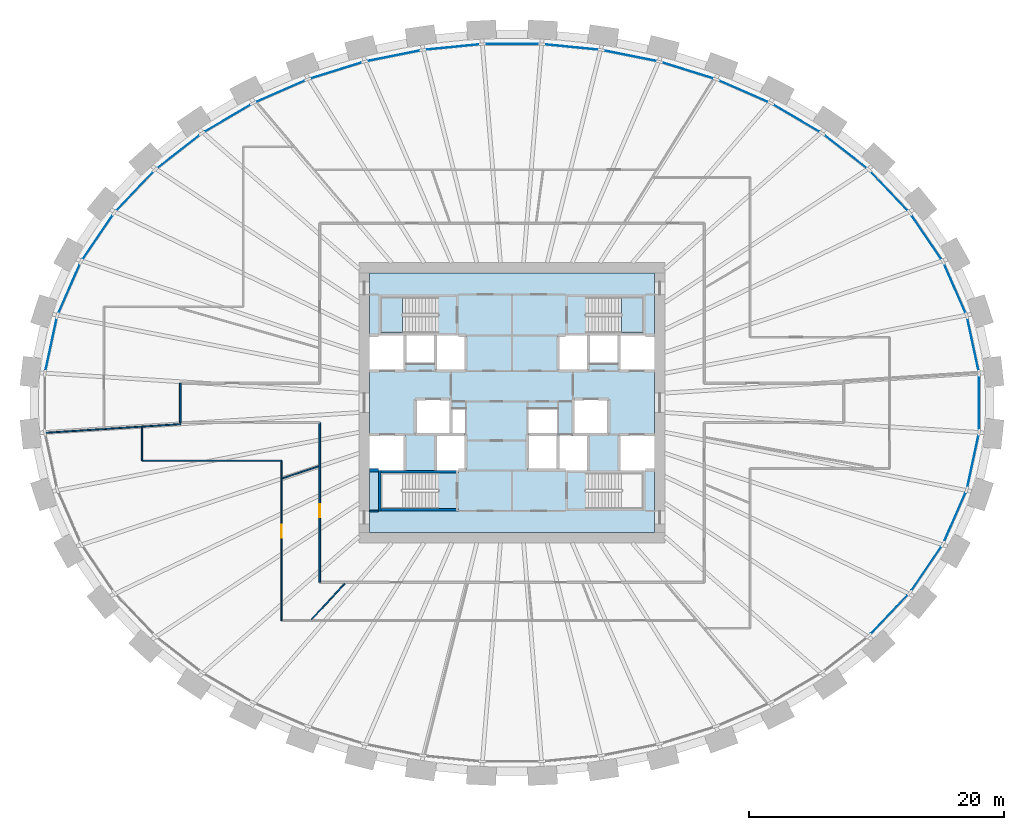
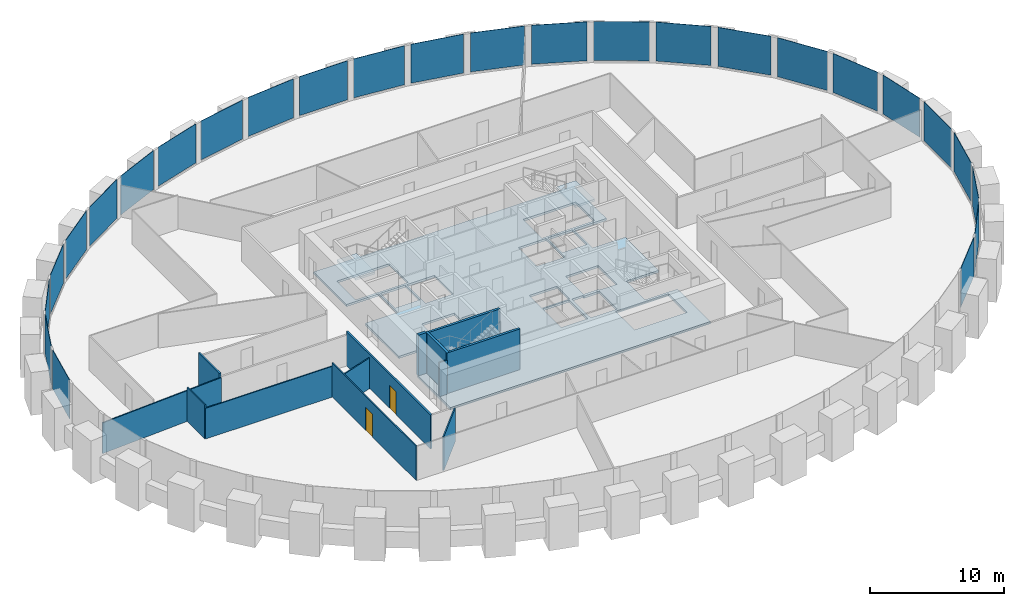
# One storey, part 5 of 10: 26 plates, 13 walls, 3 slabs, 2 doors, 2 openings, 3 elements without a shape of their own.
"""IFC4 building model written with IfcOpenShell, lengths in metres."""

from ifc_helpers import new_model, si_unit, direction, frame, frame_2d, origin, origin_2d, place, context, subcontext, project, spatial, polyline, rectangle, outline, extrude, source, transform, mapped, material, layer, layer_set, type_object, element, fill, aggregate, save


model = new_model("IFC4")

# Units and contexts
model_context = context("Model", 3, precision=1e-05, world=origin(), true_north=direction((0.0, 1.0)))
body_context = subcontext(model_context, "Body", "Model", "MODEL_VIEW")
ifc_project = project(units=[si_unit("LENGTHUNIT", "METRE"), si_unit("AREAUNIT", "SQUARE_METRE"), si_unit("VOLUMEUNIT", "CUBIC_METRE"), si_unit("PLANEANGLEUNIT", "RADIAN"), si_unit("MASSUNIT", "GRAM", prefix="KILO")], contexts=[model_context])

# Site, building, storey
site_placement = place(None, origin())
site = spatial("IfcSite", under=ifc_project, at=site_placement, CompositionType="ELEMENT")
building_placement = place(site_placement, origin())
building = spatial("IfcBuilding", under=site, at=building_placement, Name="Embergate Tower", CompositionType="ELEMENT")
storey_placement = place(building_placement, frame((0.0, 0.0, 152.10009765625)))
storey = spatial("IfcBuildingStorey", under=building, at=storey_placement, Name="L33", CompositionType="ELEMENT", Elevation=152.10009765625)

# Curtain wall, plates
ifc_material_1 = material(Name="Aluminium and glass", Category="aluminium")
curtain_wall_type = type_object("IfcCurtainWallType", Name="Recessed office glazing", PredefinedType="NOTDEFINED", material=ifc_material_1)
curtain_wall_placement = place(storey_placement, origin())
curtain_wall = element("IfcCurtainWall", 1, at=curtain_wall_placement, inside=storey, type_object=curtain_wall_type, Name="Recessed office glazing ring", ObjectType="RECESSED OFFICE GLAZING", PredefinedType="USERDEFINED")
ifc_material_2 = material(Name="Triple glazing, low-emissivity coating", Category="glass")
ifc_layer_1 = layer(ifc_material_2, 0.035888671875)
ifc_layer_set_1 = layer_set([ifc_layer_1], Name="Triple glazing, low-emissivity coating")
plate_type = type_object("IfcPlateType", Name="Office glazing unit", PredefinedType="CURTAIN_PANEL", material=ifc_layer_set_1)
shared_shape_1 = source(origin(), body_context, "Body", "SweptSolid", [
    extrude(rectangle(XDim=4.109130859375, YDim=0.035888671875, at=origin_2d()), origin(), (0.0, 0.0, 1.0), 3.550048828125),
])
plate_1_placement = place(storey_placement, frame((36.196044921875, 4.576171875, 0.14990234375), z_axis=(0.0, 0.0, 1.0), x_axis=(-0.210398391177, 0.97761573074, 0.0)))
plate_1 = element("IfcPlate", 2, at=plate_1_placement, type_object=plate_type, Name="CW panel 1.1", PredefinedType="CURTAIN_PANEL", context=body_context, shape_type="MappedRepresentation", body=[
    mapped(shared_shape_1, transform((0.0, 0.0, 0.0))),
])
plate_2_placement = place(storey_placement, frame((-36.196044921875, 4.576171875, 0.14990234375), z_axis=(0.0, 0.0, 1.0), x_axis=(-0.210398391177, -0.97761573074, 0.0)))
plate_2 = element("IfcPlate", 3, at=plate_2_placement, type_object=plate_type, Name="CW panel 21.1", PredefinedType="CURTAIN_PANEL", context=body_context, shape_type="MappedRepresentation", body=[
    mapped(shared_shape_1, transform((0.0, 0.0, 0.0))),
])
plate_3_placement = place(storey_placement, frame((36.196044921875, -4.576171875, 0.14990234375), z_axis=(0.0, 0.0, 1.0), x_axis=(0.210398391177, 0.97761573074, 0.0)))
plate_3 = element("IfcPlate", 4, at=plate_3_placement, type_object=plate_type, Name="CW panel 43.1", PredefinedType="CURTAIN_PANEL", context=body_context, shape_type="MappedRepresentation", body=[
    mapped(shared_shape_1, transform((0.0, 0.0, 0.0))),
])
shared_shape_2 = source(origin(), body_context, "Body", "SweptSolid", [
    extrude(rectangle(XDim=4.1162109375, YDim=0.035888671875, at=origin_2d()), origin(), (0.0, 0.0, 1.0), 3.550048828125),
])
plate_4_placement = place(storey_placement, frame((34.778076171875, 8.9619140625, 0.14990234375), z_axis=(0.0, 0.0, 1.0), x_axis=(-0.401652101157, 0.91579232888, 0.0)))
plate_4 = element("IfcPlate", 5, at=plate_4_placement, type_object=plate_type, Name="CW panel 2.1", PredefinedType="CURTAIN_PANEL", context=body_context, shape_type="MappedRepresentation", body=[
    mapped(shared_shape_2, transform((0.0, 0.0, 0.0))),
])
plate_5_placement = place(storey_placement, frame((-34.778076171875, 8.9619140625, 0.14990234375), z_axis=(0.0, 0.0, 1.0), x_axis=(-0.401652101157, -0.91579232888, 0.0)))
plate_5 = element("IfcPlate", 6, at=plate_5_placement, type_object=plate_type, Name="CW panel 20.1", PredefinedType="CURTAIN_PANEL", context=body_context, shape_type="MappedRepresentation", body=[
    mapped(shared_shape_2, transform((0.0, 0.0, 0.0))),
])
plate_6_placement = place(storey_placement, frame((34.778076171875, -8.9619140625, 0.14990234375), z_axis=(0.0, 0.0, 1.0), x_axis=(0.401652101157, 0.91579232888, 0.0)))
plate_6 = element("IfcPlate", 7, at=plate_6_placement, type_object=plate_type, Name="CW panel 42.1", PredefinedType="CURTAIN_PANEL", context=body_context, shape_type="MappedRepresentation", body=[
    mapped(shared_shape_2, transform((0.0, 0.0, 0.0))),
])
shared_shape_3 = source(origin(), body_context, "Body", "SweptSolid", [
    extrude(rectangle(XDim=4.125, YDim=0.035888671875, at=origin_2d()), origin(), (0.0, 0.0, 1.0), 3.550048828125),
])
plate_7_placement = place(storey_placement, frame((32.541015625, 13.005126953125, 0.14990234375), z_axis=(0.0, 0.0, 1.0), x_axis=(-0.562341741915, 0.826904931234, 0.0)))
plate_7 = element("IfcPlate", 8, at=plate_7_placement, type_object=plate_type, Name="CW panel 3.1", PredefinedType="CURTAIN_PANEL", context=body_context, shape_type="MappedRepresentation", body=[
    mapped(shared_shape_3, transform((0.0, 0.0, 0.0))),
])
plate_8_placement = place(storey_placement, frame((-32.541015625, 13.005126953125, 0.14990234375), z_axis=(0.0, 0.0, 1.0), x_axis=(-0.562341741915, -0.826904931234, 0.0)))
plate_8 = element("IfcPlate", 9, at=plate_8_placement, type_object=plate_type, Name="CW panel 19.1", PredefinedType="CURTAIN_PANEL", context=body_context, shape_type="MappedRepresentation", body=[
    mapped(shared_shape_3, transform((0.0, 0.0, 0.0))),
])
plate_9_placement = place(storey_placement, frame((32.541015625, -13.005126953125, 0.14990234375), z_axis=(0.0, 0.0, 1.0), x_axis=(0.562341741915, 0.826904931234, 0.0)))
plate_9 = element("IfcPlate", 10, at=plate_9_placement, type_object=plate_type, Name="CW panel 41.1", PredefinedType="CURTAIN_PANEL", context=body_context, shape_type="MappedRepresentation", body=[
    mapped(shared_shape_3, transform((0.0, 0.0, 0.0))),
])
shared_shape_4 = source(origin(), body_context, "Body", "SweptSolid", [
    extrude(rectangle(XDim=4.1337890625, YDim=0.035888671875, at=origin_2d()), origin(), (0.0, 0.0, 1.0), 3.550048828125),
])
plate_10_placement = place(storey_placement, frame((29.62890625, 16.609619140625, 0.14990234375), z_axis=(0.0, 0.0, 1.0), x_axis=(-0.690135047526, 0.723680603703, 0.0)))
plate_10 = element("IfcPlate", 11, at=plate_10_placement, type_object=plate_type, Name="CW panel 4.1", PredefinedType="CURTAIN_PANEL", context=body_context, shape_type="MappedRepresentation", body=[
    mapped(shared_shape_4, transform((0.0, 0.0, 0.0))),
])
plate_11_placement = place(storey_placement, frame((-29.62890625, 16.609619140625, 0.14990234375), z_axis=(0.0, 0.0, 1.0), x_axis=(-0.690135047526, -0.723680603703, 0.0)))
plate_11 = element("IfcPlate", 12, at=plate_11_placement, type_object=plate_type, Name="CW panel 18.1", PredefinedType="CURTAIN_PANEL", context=body_context, shape_type="MappedRepresentation", body=[
    mapped(shared_shape_4, transform((0.0, 0.0, 0.0))),
])
plate_12_placement = place(storey_placement, frame((29.62890625, -16.609619140625, 0.14990234375), z_axis=(0.0, 0.0, 1.0), x_axis=(0.690135047526, 0.723680603703, 0.0)))
plate_12 = element("IfcPlate", 13, at=plate_12_placement, type_object=plate_type, Name="CW panel 40.1", PredefinedType="CURTAIN_PANEL", context=body_context, shape_type="MappedRepresentation", body=[
    mapped(shared_shape_4, transform((0.0, 0.0, 0.0))),
])
shared_shape_5 = source(origin(), body_context, "Body", "SweptSolid", [
    extrude(rectangle(XDim=4.14111328125, YDim=0.035888671875, at=origin_2d()), origin(), (0.0, 0.0, 1.0), 3.550048828125),
])
plate_13_placement = place(storey_placement, frame((26.185791015625, 19.727294921875, 0.14990234375), z_axis=(0.0, 0.0, 1.0), x_axis=(-0.788320119254, 0.615265300158, 0.0)))
plate_13 = element("IfcPlate", 14, at=plate_13_placement, type_object=plate_type, Name="CW panel 5.1", PredefinedType="CURTAIN_PANEL", context=body_context, shape_type="MappedRepresentation", body=[
    mapped(shared_shape_5, transform((0.0, 0.0, 0.0))),
])
plate_14_placement = place(storey_placement, frame((-26.185791015625, 19.727294921875, 0.14990234375), z_axis=(0.0, 0.0, 1.0), x_axis=(-0.788320119254, -0.615265300158, 0.0)))
plate_14 = element("IfcPlate", 15, at=plate_14_placement, type_object=plate_type, Name="CW panel 17.1", PredefinedType="CURTAIN_PANEL", context=body_context, shape_type="MappedRepresentation", body=[
    mapped(shared_shape_5, transform((0.0, 0.0, 0.0))),
])
shared_shape_6 = source(origin(), body_context, "Body", "SweptSolid", [
    extrude(rectangle(XDim=4.147216796875, YDim=0.035888671875, at=origin_2d()), origin(), (0.0, 0.0, 1.0), 3.550048828125),
])
plate_15_placement = place(storey_placement, frame((22.3369140625, 22.343994140625, 0.14990234375), z_axis=(0.0, 0.0, 1.0), x_axis=(-0.862053167811, 0.50681785275, 0.0)))
plate_15 = element("IfcPlate", 16, at=plate_15_placement, type_object=plate_type, Name="CW panel 6.1", PredefinedType="CURTAIN_PANEL", context=body_context, shape_type="MappedRepresentation", body=[
    mapped(shared_shape_6, transform((0.0, 0.0, 0.0))),
])
plate_16_placement = place(storey_placement, frame((-22.3369140625, 22.343994140625, 0.14990234375), z_axis=(0.0, 0.0, 1.0), x_axis=(-0.862053167811, -0.50681785275, 0.0)))
plate_16 = element("IfcPlate", 17, at=plate_16_placement, type_object=plate_type, Name="CW panel 16.1", PredefinedType="CURTAIN_PANEL", context=body_context, shape_type="MappedRepresentation", body=[
    mapped(shared_shape_6, transform((0.0, 0.0, 0.0))),
])
shared_shape_7 = source(origin(), body_context, "Body", "SweptSolid", [
    extrude(rectangle(XDim=4.151611328125, YDim=0.035888671875, at=origin_2d()), origin(), (0.0, 0.0, 1.0), 3.550048828125),
])
plate_17_placement = place(storey_placement, frame((18.18505859375, 24.462646484375, 0.14990234375), z_axis=(0.0, 0.0, 1.0), x_axis=(-0.916236211741, 0.400638495772, 0.0)))
plate_17 = element("IfcPlate", 18, at=plate_17_placement, type_object=plate_type, Name="CW panel 7.1", PredefinedType="CURTAIN_PANEL", context=body_context, shape_type="MappedRepresentation", body=[
    mapped(shared_shape_7, transform((0.0, 0.0, 0.0))),
])
plate_18_placement = place(storey_placement, frame((-18.18505859375, 24.462646484375, 0.14990234375), z_axis=(0.0, 0.0, 1.0), x_axis=(-0.916236211741, -0.400638495772, 0.0)))
plate_18 = element("IfcPlate", 19, at=plate_18_placement, type_object=plate_type, Name="CW panel 15.1", PredefinedType="CURTAIN_PANEL", context=body_context, shape_type="MappedRepresentation", body=[
    mapped(shared_shape_7, transform((0.0, 0.0, 0.0))),
])
shared_shape_8 = source(origin(), body_context, "Body", "SweptSolid", [
    extrude(rectangle(XDim=4.155029296875, YDim=0.035888671875, at=origin_2d()), origin(), (0.0, 0.0, 1.0), 3.550048828125),
])
plate_19_placement = place(storey_placement, frame((13.81298828125, 26.093505859375, 0.14990234375), z_axis=(0.0, 0.0, 1.0), x_axis=(-0.954772217174, 0.297338213676, 0.0)))
plate_19 = element("IfcPlate", 20, at=plate_19_placement, type_object=plate_type, Name="CW panel 8.1", PredefinedType="CURTAIN_PANEL", context=body_context, shape_type="MappedRepresentation", body=[
    mapped(shared_shape_8, transform((0.0, 0.0, 0.0))),
])
plate_20_placement = place(storey_placement, frame((-13.81298828125, 26.093505859375, 0.14990234375), z_axis=(0.0, 0.0, 1.0), x_axis=(-0.954772217174, -0.297338213676, 0.0)))
plate_20 = element("IfcPlate", 21, at=plate_20_placement, type_object=plate_type, Name="CW panel 14.1", PredefinedType="CURTAIN_PANEL", context=body_context, shape_type="MappedRepresentation", body=[
    mapped(shared_shape_8, transform((0.0, 0.0, 0.0))),
])
shared_shape_9 = source(origin(), body_context, "Body", "SweptSolid", [
    extrude(rectangle(XDim=4.1572265625, YDim=0.035888671875, at=origin_2d()), origin(), (0.0, 0.0, 1.0), 3.550048828125),
])
plate_21_placement = place(storey_placement, frame((9.288330078125, 27.248291015625, 0.14990234375), z_axis=(0.0, 0.0, 1.0), x_axis=(-0.980475907409, 0.196639250889, 0.0)))
plate_21 = element("IfcPlate", 22, at=plate_21_placement, type_object=plate_type, Name="CW panel 9.1", PredefinedType="CURTAIN_PANEL", context=body_context, shape_type="MappedRepresentation", body=[
    mapped(shared_shape_9, transform((0.0, 0.0, 0.0))),
])
plate_22_placement = place(storey_placement, frame((-9.288330078125, 27.248291015625, 0.14990234375), z_axis=(0.0, 0.0, 1.0), x_axis=(-0.980475907409, -0.196639250889, 0.0)))
plate_22 = element("IfcPlate", 23, at=plate_22_placement, type_object=plate_type, Name="CW panel 13.1", PredefinedType="CURTAIN_PANEL", context=body_context, shape_type="MappedRepresentation", body=[
    mapped(shared_shape_9, transform((0.0, 0.0, 0.0))),
])
shared_shape_10 = source(origin(), body_context, "Body", "SweptSolid", [
    extrude(rectangle(XDim=4.158447265625, YDim=0.035888671875, at=origin_2d()), origin(), (0.0, 0.0, 1.0), 3.550048828125),
])
plate_23_placement = place(storey_placement, frame((4.66748046875, 27.93701171875, 0.14990234375), z_axis=(0.0, 0.0, 1.0), x_axis=(-0.995203184788, 0.097829550688, 0.0)))
plate_23 = element("IfcPlate", 24, at=plate_23_placement, type_object=plate_type, Name="CW panel 10.1", PredefinedType="CURTAIN_PANEL", context=body_context, shape_type="MappedRepresentation", body=[
    mapped(shared_shape_10, transform((0.0, 0.0, 0.0))),
])
plate_24_placement = place(storey_placement, frame((-4.66748046875, 27.93701171875, 0.14990234375), z_axis=(0.0, 0.0, 1.0), x_axis=(-0.995203184788, -0.097829550688, 0.0)))
plate_24 = element("IfcPlate", 25, at=plate_24_placement, type_object=plate_type, Name="CW panel 12.1", PredefinedType="CURTAIN_PANEL", context=body_context, shape_type="MappedRepresentation", body=[
    mapped(shared_shape_10, transform((0.0, 0.0, 0.0))),
])
shared_shape_11 = source(origin(), body_context, "Body", "SweptSolid", [
    extrude(rectangle(XDim=4.158935546875, YDim=0.035888671875, at=origin_2d()), origin(), (0.0, 0.0, 1.0), 3.550048828125),
])
plate_25_placement = place(storey_placement, frame((0.0, 28.166015625, 0.14990234375), z_axis=(0.0, 0.0, 1.0), x_axis=(-1.0, 0.0, 0.0)))
plate_25 = element("IfcPlate", 26, at=plate_25_placement, type_object=plate_type, Name="CW panel 11.1", PredefinedType="CURTAIN_PANEL", context=body_context, shape_type="MappedRepresentation", body=[
    mapped(shared_shape_11, transform((0.0, 0.0, 0.0))),
])
shared_shape_12 = source(origin(), body_context, "Body", "SweptSolid", [
    extrude(rectangle(XDim=4.106689453125, YDim=0.035888671875, at=origin_2d()), origin(), (0.0, 0.0, 1.0), 3.550048828125),
])
plate_26_placement = place(storey_placement, frame((36.68310546875, 0.0, 0.14990234375), z_axis=(0.0, 0.0, 1.0), x_axis=(0.0, 1.0, 0.0)))
plate_26 = element("IfcPlate", 27, at=plate_26_placement, type_object=plate_type, Name="CW panel 44.1", PredefinedType="CURTAIN_PANEL", context=body_context, shape_type="MappedRepresentation", body=[
    mapped(shared_shape_12, transform((0.0, 0.0, 0.0))),
])
aggregate(curtain_wall, [plate_1, plate_4, plate_7, plate_10, plate_13, plate_15, plate_17, plate_19, plate_21, plate_23, plate_25, plate_24, plate_22, plate_20, plate_18, plate_16, plate_14, plate_11, plate_8, plate_5, plate_2, plate_12, plate_9, plate_6, plate_3, plate_26])

# Stair, slab
ifc_material_3 = material(Name="Exit stair")
stair_type = type_object("IfcStairType", Name="Exit stair", PredefinedType="HALF_TURN_STAIR", material=ifc_material_3)
stair_1_placement = place(storey_placement, origin())
stair_1 = element("IfcStair", 28, at=stair_1_placement, inside=storey, type_object=stair_type, Name="L33 Exit stair 1", PredefinedType="HALF_TURN_STAIR")
ifc_material_4 = material(Name="Concrete C40", Category="concrete")
ifc_layer_2 = layer(ifc_material_4, 0.199951171875)
ifc_layer_set_2 = layer_set([ifc_layer_2], Name="Concrete C40")
slab_type_1 = type_object("IfcSlabType", Name="Stair landing reinforced concrete", PredefinedType="LANDING", material=ifc_layer_set_2)
shared_shape_13 = source(origin(), body_context, "Body", "SweptSolid", [
    extrude(outline(polyline([(0.0, 0.0), (1.68994140625, 0.0), (1.68994140625, 2.800048828125), (0.0, 2.800048828125), (0.0, 0.0)])), origin(), (0.0, 0.0, 1.0), 0.199951171875),
])
slab_1_placement = place(storey_placement, frame((-10.300048828125, 5.5, 1.75)))
slab_1 = element("IfcSlab", 29, at=slab_1_placement, type_object=slab_type_1, Name="ST1 landing 1", PredefinedType="LANDING", context=body_context, shape_type="MappedRepresentation", body=[
    mapped(shared_shape_13, transform((0.0, 0.0, 0.0))),
])
aggregate(stair_1, [slab_1])

stair_2_placement = place(storey_placement, origin())
stair_2 = element("IfcStair", 30, at=stair_2_placement, inside=storey, type_object=stair_type, Name="L33 Exit stair 2", PredefinedType="HALF_TURN_STAIR")
slab_2_placement = place(storey_placement, frame((8.610107421875, 5.5, 1.75)))
slab_2 = element("IfcSlab", 31, at=slab_2_placement, type_object=slab_type_1, Name="ST2 landing 1", PredefinedType="LANDING", context=body_context, shape_type="MappedRepresentation", body=[
    mapped(shared_shape_13, transform((0.0, 0.0, 0.0))),
])
aggregate(stair_2, [slab_2])

# Slab
ifc_layer_3 = layer(ifc_material_4, 0.199951171875)
ifc_layer_set_3 = layer_set([ifc_layer_3], Name="Concrete C40")
slab_type_2 = type_object("IfcSlabType", Name="Core floor slab 200 reinforced concrete", PredefinedType="FLOOR", material=ifc_layer_set_3)
shared_shape_14 = source(origin(), body_context, "Body", "SweptSolid", [
    extrude(outline(polyline([(0.0, 0.0), (22.39990234375, 0.0), (22.39990234375, 4.89990234375), (19.599853515625, 4.89990234375), (19.599853515625, 7.699951171875), (22.39990234375, 7.699951171875), (22.39990234375, 12.699951171875), (19.599853515625, 12.699951171875), (19.599853515625, 15.5), (22.39990234375, 15.5), (22.39990234375, 20.39990234375), (0.0, 20.39990234375), (0.0, 15.5), (2.800048828125, 15.5), (2.800048828125, 12.699951171875), (0.0, 12.699951171875), (0.0, 7.699951171875), (2.800048828125, 7.699951171875), (2.800048828125, 4.89990234375), (0.0, 4.89990234375), (0.0, 0.0)]), holes=[polyline([(0.89990234375, 1.89990234375), (0.89990234375, 4.699951171875), (5.43994140625, 4.699951171875), (5.43994140625, 1.89990234375), (0.89990234375, 1.89990234375)]), polyline([(16.9599609375, 1.89990234375), (16.9599609375, 4.699951171875), (21.5, 4.699951171875), (21.5, 1.89990234375), (16.9599609375, 1.89990234375)]), polyline([(5.199951171875, 4.89990234375), (5.199951171875, 7.574951171875), (6.52490234375, 7.574951171875), (6.52490234375, 7.699951171875), (7.599853515625, 7.699951171875), (7.599853515625, 4.89990234375), (5.199951171875, 4.89990234375)]), polyline([(12.39990234375, 4.89990234375), (12.39990234375, 7.699951171875), (14.675048828125, 7.699951171875), (14.675048828125, 4.89990234375), (12.39990234375, 4.89990234375)]), polyline([(14.925048828125, 4.89990234375), (14.925048828125, 7.699951171875), (15.875, 7.699951171875), (15.875, 7.574951171875), (17.199951171875, 7.574951171875), (17.199951171875, 4.89990234375), (14.925048828125, 4.89990234375)]), polyline([(3.599853515625, 7.699951171875), (3.599853515625, 10.5), (6.39990234375, 10.5), (6.39990234375, 7.824951171875), (5.074951171875, 7.824951171875), (5.074951171875, 7.699951171875), (3.599853515625, 7.699951171875)]), polyline([(17.324951171875, 7.699951171875), (17.324951171875, 7.824951171875), (16.0, 7.824951171875), (16.0, 10.5), (18.800048828125, 10.5), (18.800048828125, 7.699951171875), (17.324951171875, 7.699951171875)]), polyline([(6.52490234375, 7.824951171875), (6.52490234375, 9.699951171875), (7.599853515625, 9.699951171875), (7.599853515625, 7.824951171875), (6.52490234375, 7.824951171875)]), polyline([(12.39990234375, 7.824951171875), (12.39990234375, 9.699951171875), (14.800048828125, 9.699951171875), (14.800048828125, 7.824951171875), (14.675048828125, 7.824951171875), (12.39990234375, 7.824951171875)]), polyline([(5.199951171875, 12.699951171875), (5.199951171875, 15.5), (7.599853515625, 15.5), (7.599853515625, 12.699951171875), (5.199951171875, 12.699951171875)]), polyline([(14.800048828125, 12.699951171875), (14.800048828125, 15.5), (17.199951171875, 15.5), (17.199951171875, 12.699951171875), (14.800048828125, 12.699951171875)]), polyline([(2.925048828125, 13.300048828125), (2.925048828125, 15.5), (5.074951171875, 15.5), (5.074951171875, 13.300048828125), (2.925048828125, 13.300048828125)]), polyline([(17.324951171875, 13.300048828125), (17.324951171875, 15.5), (19.474853515625, 15.5), (19.474853515625, 13.300048828125), (17.324951171875, 13.300048828125)]), polyline([(0.89990234375, 15.699951171875), (0.89990234375, 18.5), (5.43994140625, 18.5), (5.43994140625, 15.699951171875), (0.89990234375, 15.699951171875)]), polyline([(16.9599609375, 15.699951171875), (16.9599609375, 18.5), (21.5, 18.5), (21.5, 15.699951171875), (16.9599609375, 15.699951171875)])]), origin(), (0.0, 0.0, 1.0), 0.2001953125),
])
slab_3_placement = place(storey_placement, frame((-11.199951171875, -10.199951171875, -0.2001953125)))
element("IfcSlab", 32, at=slab_3_placement, inside=storey, type_object=slab_type_2, Name="Core floor slab", PredefinedType="FLOOR", context=body_context, shape_type="MappedRepresentation", body=[
    mapped(shared_shape_14, transform((0.0, 0.0, 0.0))),
])

# Walls
ifc_material_5 = material(Name="Concrete C50", Category="concrete")
ifc_layer_4 = layer(ifc_material_5, 0.199951171875)
ifc_layer_set_4 = layer_set([ifc_layer_4], Name="Concrete C50")
wall_type_1 = type_object("IfcWallType", Name="Stair enclosure wall reinforced concrete 250", PredefinedType="SHEAR", material=ifc_layer_set_4)
shared_shape_15 = source(origin(), body_context, "Body", "SweptSolid", [
    extrude(rectangle(XDim=6.300048828125, YDim=0.199951171875, at=frame_2d((3.14990234375, 0.0))), origin(), (0.0, 0.0, 1.0), 3.699951171875),
])
for number, where, z_axis, x_axis, name in (
    (33, (-10.5, -5.39990234375, 0.0), (0.0, 0.0, 1.0), (1.0, 0.0, 0.0), "SE-1 wall"),
    (34, (-10.5, -8.39990234375, 0.0), (0.0, 0.0, 1.0), (1.0, 0.0, 0.0), "SE-1 wall"),
):
    element("IfcWall", number, at=place(storey_placement, frame(where, z_axis=z_axis, x_axis=x_axis)), inside=storey, type_object=wall_type_1, Name=name, PredefinedType="SHEAR", context=body_context, shape_type="MappedRepresentation", body=[
        mapped(shared_shape_15, transform((0.0, 0.0, 0.0))),
    ])
shared_shape_16 = source(origin(), body_context, "Body", "SweptSolid", [
    extrude(rectangle(XDim=3.196044921875, YDim=0.199951171875, at=frame_2d((1.59814453125, 0.0))), origin(), (0.0, 0.0, 1.0), 3.699951171875),
])
wall_1_placement = place(storey_placement, frame((-10.39990234375, -5.302001953125, 0.0), z_axis=(0.0, 0.0, 1.0), x_axis=(0.0, -1.0, 0.0)))
element("IfcWall", 35, at=wall_1_placement, inside=storey, type_object=wall_type_1, Name="SE-1 wall", PredefinedType="SHEAR", context=body_context, shape_type="MappedRepresentation", body=[
    mapped(shared_shape_16, transform((0.0, 0.0, 0.0))),
])
ifc_layer_5 = layer(ifc_material_5, 0.25)
ifc_layer_set_5 = layer_set([ifc_layer_5], Name="Concrete C50")
wall_type_2 = type_object("IfcWallType", Name="Hoistway wall reinforced concrete 250", PredefinedType="SHEAR", material=ifc_layer_set_5)
shared_shape_17 = source(origin(), body_context, "Body", "SweptSolid", [
    extrude(rectangle(XDim=0.697998046875, YDim=0.25, at=frame_2d((0.34912109375, 0.0))), origin(), (0.0, 0.0, 1.0), 3.699951171875),
])
wall_2_placement = place(storey_placement, frame((-11.199951171875, -5.300048828125, 0.0), z_axis=(0.0, 0.0, 1.0), x_axis=(1.0, 0.0, 0.0)))
element("IfcWall", 36, at=wall_2_placement, inside=storey, type_object=wall_type_2, Name="HW-1 wall", PredefinedType="SHEAR", context=body_context, shape_type="MappedRepresentation", body=[
    mapped(shared_shape_17, transform((0.0, 0.0, 0.0))),
])
ifc_material_6 = material(Name="Core partition blockwork 120")
ifc_layer_6 = layer(ifc_material_6, 0.1201171875)
ifc_layer_set_6 = layer_set([ifc_layer_6], Name="Core partition blockwork 120")
wall_type_3 = type_object("IfcWallType", Name="Core partition blockwork 120", PredefinedType="PARTITIONING", material=ifc_layer_set_6)
shared_shape_18 = source(origin(), body_context, "Body", "SweptSolid", [
    extrude(rectangle(XDim=0.697998046875, YDim=0.1201171875, at=frame_2d((0.34912109375, 0.0))), origin(), (0.0, 0.0, 1.0), 3.099853515625),
])
wall_3_placement = place(storey_placement, frame((-10.501953125, -8.5, 0.0), z_axis=(0.0, 0.0, 1.0), x_axis=(-1.0, 0.0, 0.0)))
element("IfcWall", 37, at=wall_3_placement, inside=storey, type_object=wall_type_3, Name="IP-3 wall", PredefinedType="PARTITIONING", context=body_context, shape_type="MappedRepresentation", body=[
    mapped(shared_shape_18, transform((0.0, 0.0, 0.0))),
])

# Wall, opening, door
ifc_material_7 = material(Name="Corridor wall dry-lined 150")
ifc_layer_7 = layer(ifc_material_7, 0.14990234375)
ifc_layer_set_7 = layer_set([ifc_layer_7], Name="Corridor wall dry-lined 150")
wall_type_4 = type_object("IfcWallType", Name="Corridor wall dry-lined 150", PredefinedType="PARTITIONING", material=ifc_layer_set_7)
shared_shape_19 = source(origin(), body_context, "Body", "SweptSolid", [
    extrude(rectangle(XDim=12.550048828125, YDim=0.14990234375, at=frame_2d((6.27490234375, 0.0))), origin(), (0.0, 0.0, 1.0), 3.099853515625),
])
wall_4_placement = place(storey_placement, frame((-15.10009765625, -1.550048828125, 0.0), z_axis=(0.0, 0.0, 1.0), x_axis=(0.0, -1.0, 0.0)))
wall_4 = element("IfcWall", 38, at=wall_4_placement, inside=storey, type_object=wall_type_4, Name="IP-2 wall", PredefinedType="PARTITIONING", context=body_context, shape_type="MappedRepresentation", body=[
    mapped(shared_shape_19, transform((0.0, 0.0, 0.0))),
])
shared_shape_20 = source(origin(), body_context, "Body", "SweptSolid", [
    extrude(rectangle(XDim=1.0, YDim=2.10009765625, at=frame_2d((0.5, 1.050048828125))), frame((0.0, 0.0849609375, 0.0), z_axis=(0.0, -1.0, 0.0), x_axis=(1.0, 0.0, 0.0)), (0.0, 0.0, 1.0), 0.169921875),
])
opening_1_placement = place(wall_4_placement, frame((6.427001953125, 0.0, 0.0)))
opening_1 = element("IfcOpeningElement", 39, at=opening_1_placement, cuts=wall_4, Name="Opening ID-2", PredefinedType="OPENING", context=body_context, shape_type="MappedRepresentation", body=[
    mapped(shared_shape_20, transform((0.0, 0.0, 0.0))),
])
ifc_material_8 = material(Name="Interior door 1000")
door_type = type_object("IfcDoorType", Name="Interior door 1000", OperationType="SINGLE_SWING_LEFT", PredefinedType="DOOR", material=ifc_material_8)
shared_shape_21 = source(origin(), body_context, "Body", "SweptSolid", [
    extrude(rectangle(XDim=1.0, YDim=2.10009765625, at=frame_2d((0.5, 1.050048828125))), frame((0.0, 0.02490234375, 0.0), z_axis=(0.0, -1.0, 0.0), x_axis=(1.0, 0.0, 0.0)), (0.0, 0.0, 1.0), 0.050048828125),
])
door_1_placement = place(opening_1_placement, origin())
door_1 = element("IfcDoor", 40, at=door_1_placement, inside=storey, type_object=door_type, Name="ID-2 door", OperationType="SINGLE_SWING_LEFT", OverallHeight=2.10009765625, OverallWidth=1.0, PredefinedType="DOOR", context=body_context, shape_type="MappedRepresentation", body=[
    mapped(shared_shape_21, transform((0.0, 0.0, 0.0))),
])
fill(opening_1, door_1)

# Walls
shared_shape_22 = source(origin(), body_context, "Body", "SweptSolid", [
    extrude(rectangle(XDim=3.10009765625, YDim=0.14990234375, at=frame_2d((1.550048828125, 0.0))), origin(), (0.0, 0.0, 1.0), 3.099853515625),
])
wall_5_placement = place(storey_placement, frame((-26.050048828125, 1.550048828125, 0.0), z_axis=(0.0, 0.0, 1.0), x_axis=(0.0, -1.0, 0.0)))
element("IfcWall", 41, at=wall_5_placement, inside=storey, type_object=wall_type_4, Name="IP-2 wall", PredefinedType="PARTITIONING", context=body_context, shape_type="MappedRepresentation", body=[
    mapped(shared_shape_22, transform((0.0, 0.0, 0.0))),
])
ifc_material_9 = material(Name="Partition dry-lined 100")
ifc_layer_8 = layer(ifc_material_9, 0.10009765625)
ifc_layer_set_8 = layer_set([ifc_layer_8], Name="Partition dry-lined 100")
wall_type_5 = type_object("IfcWallType", Name="Partition dry-lined 100", PredefinedType="PARTITIONING", material=ifc_layer_set_8)
shared_shape_23 = source(origin(), body_context, "Body", "SweptSolid", [
    extrude(rectangle(XDim=2.992919921875, YDim=0.10009765625, at=frame_2d((1.49658203125, 0.0))), origin(), (0.0, 0.0, 1.0), 2.7998046875),
])
wall_6_placement = place(storey_placement, frame((-15.19091796875, -4.992919921875, 0.0), z_axis=(0.0, 0.0, 1.0), x_axis=(-0.94994012605, -0.312432003673, 0.0)))
element("IfcWall", 42, at=wall_6_placement, inside=storey, type_object=wall_type_5, Name="IP-1 wall", PredefinedType="PARTITIONING", context=body_context, shape_type="MappedRepresentation", body=[
    mapped(shared_shape_23, transform((0.0, 0.0, 0.0))),
])
shared_shape_24 = source(origin(), body_context, "Body", "SweptSolid", [
    extrude(rectangle(XDim=10.660888671875, YDim=0.10009765625, at=frame_2d((5.33056640625, 0.0))), origin(), (0.0, 0.0, 1.0), 2.7998046875),
])
wall_7_placement = place(storey_placement, frame((-36.666015625, -2.360107421875, 0.0), z_axis=(0.0, 0.0, 1.0), x_axis=(0.997933274946, 0.064258686222, 0.0)))
element("IfcWall", 43, at=wall_7_placement, inside=storey, type_object=wall_type_5, Name="IP-1 wall", PredefinedType="PARTITIONING", context=body_context, shape_type="MappedRepresentation", body=[
    mapped(shared_shape_24, transform((0.0, 0.0, 0.0))),
])
shared_shape_25 = source(origin(), body_context, "Body", "SweptSolid", [
    extrude(rectangle(XDim=2.631103515625, YDim=0.10009765625, at=frame_2d((1.3154296875, 0.0))), origin(), (0.0, 0.0, 1.0), 3.099853515625),
])
wall_8_placement = place(storey_placement, frame((-29.050048828125, -1.9189453125, 0.0), z_axis=(0.0, 0.0, 1.0), x_axis=(0.0, -1.0, 0.0)))
element("IfcWall", 44, at=wall_8_placement, inside=storey, type_object=wall_type_5, Name="IP-1 wall", PredefinedType="PARTITIONING", context=body_context, shape_type="MappedRepresentation", body=[
    mapped(shared_shape_25, transform((0.0, 0.0, 0.0))),
])
shared_shape_26 = source(origin(), body_context, "Body", "SweptSolid", [
    extrude(rectangle(XDim=10.949951171875, YDim=0.10009765625, at=frame_2d((5.47509765625, 0.0))), origin(), (0.0, 0.0, 1.0), 2.7998046875),
])
wall_9_placement = place(storey_placement, frame((-29.050048828125, -4.550048828125, 0.0), z_axis=(0.0, 0.0, 1.0), x_axis=(1.0, 0.0, 0.0)))
element("IfcWall", 45, at=wall_9_placement, inside=storey, type_object=wall_type_5, Name="IP-1 wall", PredefinedType="PARTITIONING", context=body_context, shape_type="MappedRepresentation", body=[
    mapped(shared_shape_26, transform((0.0, 0.0, 0.0))),
])

# Wall, opening, door
shared_shape_27 = source(origin(), body_context, "Body", "SweptSolid", [
    extrude(rectangle(XDim=12.550048828125, YDim=0.10009765625, at=frame_2d((6.27490234375, 0.0))), origin(), (0.0, 0.0, 1.0), 3.099853515625),
])
wall_10_placement = place(storey_placement, frame((-18.10009765625, -4.550048828125, 0.0), z_axis=(0.0, 0.0, 1.0), x_axis=(0.0, -1.0, 0.0)))
wall_10 = element("IfcWall", 46, at=wall_10_placement, inside=storey, type_object=wall_type_5, Name="IP-1 wall", PredefinedType="PARTITIONING", context=body_context, shape_type="MappedRepresentation", body=[
    mapped(shared_shape_27, transform((0.0, 0.0, 0.0))),
])
shared_shape_28 = source(origin(), body_context, "Body", "SweptSolid", [
    extrude(rectangle(XDim=1.0, YDim=2.10009765625, at=frame_2d((0.5, 1.050048828125))), frame((0.0, 0.06005859375, 0.0), z_axis=(0.0, -1.0, 0.0), x_axis=(1.0, 0.0, 0.0)), (0.0, 0.0, 1.0), 0.1201171875),
])
opening_2_placement = place(wall_10_placement, frame((5.0419921875, 0.0, 0.0)))
opening_2 = element("IfcOpeningElement", 47, at=opening_2_placement, cuts=wall_10, Name="Opening ID-2", PredefinedType="OPENING", context=body_context, shape_type="MappedRepresentation", body=[
    mapped(shared_shape_28, transform((0.0, 0.0, 0.0))),
])
door_2_placement = place(opening_2_placement, origin())
door_2 = element("IfcDoor", 48, at=door_2_placement, inside=storey, type_object=door_type, Name="ID-2 door", OperationType="SINGLE_SWING_LEFT", OverallHeight=2.10009765625, OverallWidth=1.0, PredefinedType="DOOR", context=body_context, shape_type="MappedRepresentation", body=[
    mapped(shared_shape_21, transform((0.0, 0.0, 0.0))),
])
fill(opening_2, door_2)

# Wall
shared_shape_29 = source(origin(), body_context, "Body", "SweptSolid", [
    extrude(rectangle(XDim=3.82421875, YDim=0.10009765625, at=frame_2d((1.912109375, 0.0))), origin(), (0.0, 0.0, 1.0), 3.099853515625),
])
wall_11_placement = place(storey_placement, frame((-13.14697265625, -14.208984375, 0.0), z_axis=(0.0, 0.0, 1.0), x_axis=(-0.679088426516, -0.734056475329, 0.0)))
element("IfcWall", 49, at=wall_11_placement, inside=storey, type_object=wall_type_5, Name="IP-1 wall", PredefinedType="PARTITIONING", context=body_context, shape_type="MappedRepresentation", body=[
    mapped(shared_shape_29, transform((0.0, 0.0, 0.0))),
])

save(model, "model.ifc")
